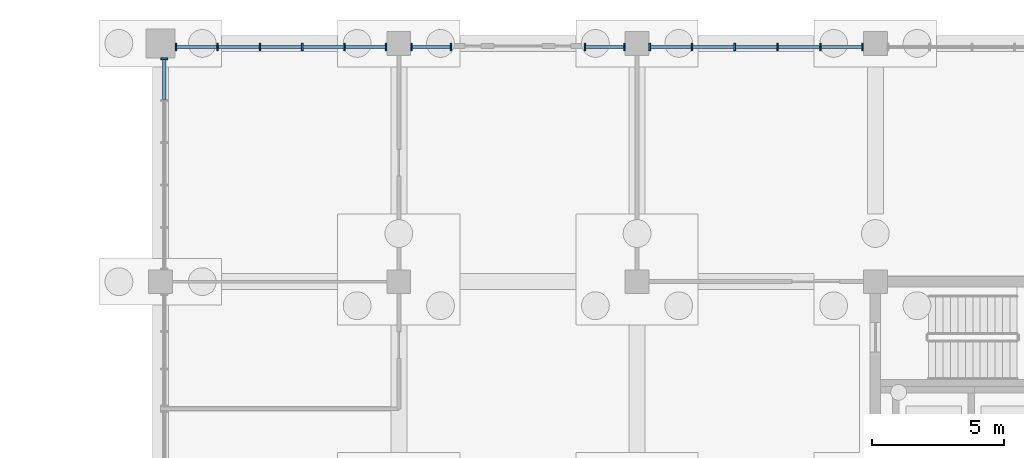
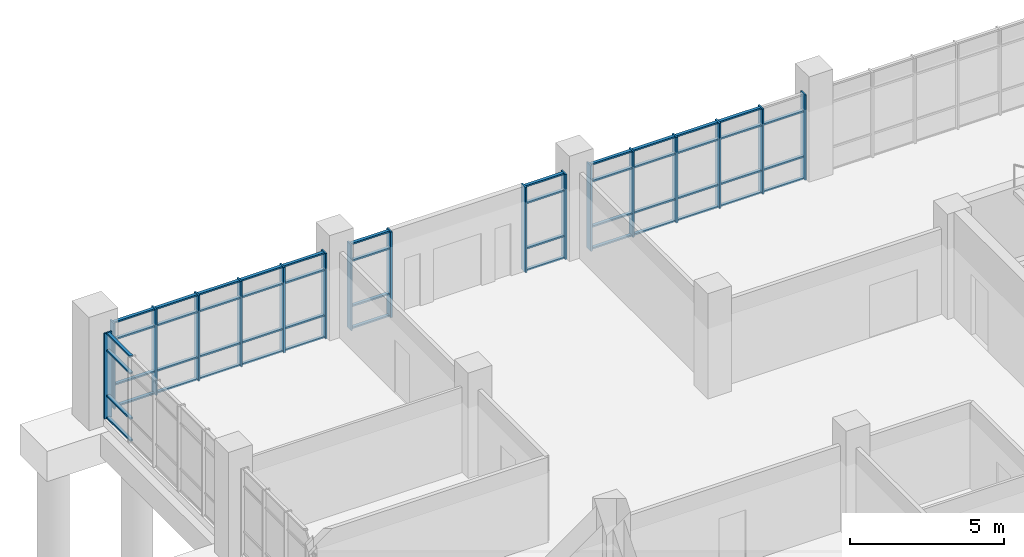
# One storey, part 48 of 106: 68 members, 5 elements without a shape of their own.
"""IFC4 building model written with IfcOpenShell, lengths in metres."""

from ifc_helpers import new_model, si_unit, direction, frame, origin, origin_2d, place, context, subcontext, project, spatial, rectangle, extrude, material, material_profile, profile_set, type_object, element, aggregate, save


model = new_model("IFC4")

# Units and contexts
model_context = context("Model", 3, precision=1e-05, world=origin(), true_north=direction((0.0, 1.0)))
body_context = subcontext(model_context, "Body", "Model", "MODEL_VIEW")
ifc_project = project(units=[si_unit("LENGTHUNIT", "METRE"), si_unit("AREAUNIT", "SQUARE_METRE"), si_unit("VOLUMEUNIT", "CUBIC_METRE"), si_unit("PLANEANGLEUNIT", "RADIAN"), si_unit("MASSUNIT", "GRAM", prefix="KILO")], contexts=[model_context])

# Site, building, storey
site_placement = place(None, origin())
site = spatial("IfcSite", under=ifc_project, at=site_placement, CompositionType="ELEMENT")
building_placement = place(site_placement, origin())
building = spatial("IfcBuilding", under=site, at=building_placement, Name="Merrow Basin Faculty of Sciences", CompositionType="ELEMENT")
storey_placement = place(building_placement, origin())
storey = spatial("IfcBuildingStorey", under=building, at=storey_placement, Name="L00", CompositionType="ELEMENT", Elevation=0.0)

# Curtain wall, member
ifc_material_1 = material(Name="Aluminium alloy 6063", Category="aluminium")
curtain_wall_type = type_object("IfcCurtainWallType", Name="Tower lobby curtain wall 280", PredefinedType="NOTDEFINED", material=ifc_material_1)
curtain_wall_1_placement = place(storey_placement, origin())
curtain_wall_1 = element("IfcCurtainWall", 1, at=curtain_wall_1_placement, inside=storey, type_object=curtain_wall_type, Name="W curtain wall L00 3", PredefinedType="NOTDEFINED")
ifc_material_2 = material(Name="Aluminium alloy 6063", Category="aluminium")
ifc_material_profile_1 = material_profile(ifc_material_2, rectangle(XDim=0.280029296875, YDim=0.06005859375, at=origin_2d()))
ifc_profile_set_1 = profile_set([ifc_material_profile_1], Name="Aluminium alloy 6063")
member_type_1 = type_object("IfcMemberType", Name="Aluminium mullion 60x280", PredefinedType="MULLION", material=ifc_profile_set_1)
member_1_placement = place(storey_placement, frame((18.139892578125, 168.419921875, 0.0), z_axis=(0.0, 0.0, 1.0), x_axis=(-1.0, 0.0, 0.0)))
member_1 = element("IfcMember", 2, at=member_1_placement, type_object=member_type_1, Name="CW10 mullion 6", PredefinedType="MULLION", context=body_context, shape_type="SweptSolid", body=[
    extrude(rectangle(XDim=0.280029296875, YDim=0.06005859375, at=origin_2d()), origin(), (0.0, 0.0, 1.0), 3.39990234375),
])

# Curtain wall, members
curtain_wall_2_placement = place(storey_placement, origin())
curtain_wall_2 = element("IfcCurtainWall", 3, at=curtain_wall_2_placement, inside=storey, type_object=curtain_wall_type, Name="N curtain wall L00 1", PredefinedType="NOTDEFINED")
member_2_placement = place(storey_placement, frame((18.580078125, 168.860107421875, 0.0), z_axis=(0.0, 0.0, 1.0), x_axis=(0.0, 1.0, 0.0)))
member_2 = element("IfcMember", 4, at=member_2_placement, type_object=member_type_1, Name="CW10 mullion 1", PredefinedType="MULLION", context=body_context, shape_type="SweptSolid", body=[
    extrude(rectangle(XDim=0.280029296875, YDim=0.06005859375, at=origin_2d()), origin(), (0.0, 0.0, 1.0), 3.39990234375),
])
member_3_placement = place(storey_placement, frame((20.14990234375, 168.860107421875, 0.0), z_axis=(0.0, 0.0, 1.0), x_axis=(0.0, 1.0, 0.0)))
member_3 = element("IfcMember", 5, at=member_3_placement, type_object=member_type_1, Name="CW10 mullion 2", PredefinedType="MULLION", context=body_context, shape_type="SweptSolid", body=[
    extrude(rectangle(XDim=0.280029296875, YDim=0.06005859375, at=origin_2d()), origin(), (0.0, 0.0, 1.0), 3.39990234375),
])
member_4_placement = place(storey_placement, frame((21.75, 168.860107421875, 0.0), z_axis=(0.0, 0.0, 1.0), x_axis=(0.0, 1.0, 0.0)))
member_4 = element("IfcMember", 6, at=member_4_placement, type_object=member_type_1, Name="CW10 mullion 3", PredefinedType="MULLION", context=body_context, shape_type="SweptSolid", body=[
    extrude(rectangle(XDim=0.280029296875, YDim=0.06005859375, at=origin_2d()), origin(), (0.0, 0.0, 1.0), 3.39990234375),
])
member_5_placement = place(storey_placement, frame((23.35009765625, 168.860107421875, 0.0), z_axis=(0.0, 0.0, 1.0), x_axis=(0.0, 1.0, 0.0)))
member_5 = element("IfcMember", 7, at=member_5_placement, type_object=member_type_1, Name="CW10 mullion 4", PredefinedType="MULLION", context=body_context, shape_type="SweptSolid", body=[
    extrude(rectangle(XDim=0.280029296875, YDim=0.06005859375, at=origin_2d()), origin(), (0.0, 0.0, 1.0), 3.39990234375),
])
member_6_placement = place(storey_placement, frame((24.949951171875, 168.860107421875, 0.0), z_axis=(0.0, 0.0, 1.0), x_axis=(0.0, 1.0, 0.0)))
member_6 = element("IfcMember", 8, at=member_6_placement, type_object=member_type_1, Name="CW10 mullion 5", PredefinedType="MULLION", context=body_context, shape_type="SweptSolid", body=[
    extrude(rectangle(XDim=0.280029296875, YDim=0.06005859375, at=origin_2d()), origin(), (0.0, 0.0, 1.0), 3.39990234375),
])
member_7_placement = place(storey_placement, frame((26.52001953125, 168.860107421875, 0.0), z_axis=(0.0, 0.0, 1.0), x_axis=(0.0, 1.0, 0.0)))
member_7 = element("IfcMember", 9, at=member_7_placement, type_object=member_type_1, Name="CW10 mullion 6", PredefinedType="MULLION", context=body_context, shape_type="SweptSolid", body=[
    extrude(rectangle(XDim=0.280029296875, YDim=0.06005859375, at=origin_2d()), origin(), (0.0, 0.0, 1.0), 3.39990234375),
])

curtain_wall_3_placement = place(storey_placement, origin())
curtain_wall_3 = element("IfcCurtainWall", 10, at=curtain_wall_3_placement, inside=storey, type_object=curtain_wall_type, Name="N curtain wall L00 2", PredefinedType="NOTDEFINED")
member_8_placement = place(storey_placement, frame((27.47998046875, 168.860107421875, 0.0), z_axis=(0.0, 0.0, 1.0), x_axis=(0.0, 1.0, 0.0)))
member_8 = element("IfcMember", 11, at=member_8_placement, type_object=member_type_1, Name="CW10 mullion 1", PredefinedType="MULLION", context=body_context, shape_type="SweptSolid", body=[
    extrude(rectangle(XDim=0.280029296875, YDim=0.06005859375, at=origin_2d()), origin(), (0.0, 0.0, 1.0), 3.39990234375),
])
member_9_placement = place(storey_placement, frame((28.969970703125, 168.860107421875, 0.0), z_axis=(0.0, 0.0, 1.0), x_axis=(0.0, 1.0, 0.0)))
member_9 = element("IfcMember", 12, at=member_9_placement, type_object=member_type_1, Name="CW10 mullion 2", PredefinedType="MULLION", context=body_context, shape_type="SweptSolid", body=[
    extrude(rectangle(XDim=0.280029296875, YDim=0.06005859375, at=origin_2d()), origin(), (0.0, 0.0, 1.0), 3.39990234375),
])

curtain_wall_4_placement = place(storey_placement, origin())
curtain_wall_4 = element("IfcCurtainWall", 13, at=curtain_wall_4_placement, inside=storey, type_object=curtain_wall_type, Name="N curtain wall L00 3", PredefinedType="NOTDEFINED")
member_10_placement = place(storey_placement, frame((34.030029296875, 168.860107421875, 0.0), z_axis=(0.0, 0.0, 1.0), x_axis=(0.0, 1.0, 0.0)))
member_10 = element("IfcMember", 14, at=member_10_placement, type_object=member_type_1, Name="CW10 mullion 1", PredefinedType="MULLION", context=body_context, shape_type="SweptSolid", body=[
    extrude(rectangle(XDim=0.280029296875, YDim=0.06005859375, at=origin_2d()), origin(), (0.0, 0.0, 1.0), 3.39990234375),
])
member_11_placement = place(storey_placement, frame((35.52001953125, 168.860107421875, 0.0), z_axis=(0.0, 0.0, 1.0), x_axis=(0.0, 1.0, 0.0)))
member_11 = element("IfcMember", 15, at=member_11_placement, type_object=member_type_1, Name="CW10 mullion 2", PredefinedType="MULLION", context=body_context, shape_type="SweptSolid", body=[
    extrude(rectangle(XDim=0.280029296875, YDim=0.06005859375, at=origin_2d()), origin(), (0.0, 0.0, 1.0), 3.39990234375),
])

curtain_wall_5_placement = place(storey_placement, origin())
curtain_wall_5 = element("IfcCurtainWall", 16, at=curtain_wall_5_placement, inside=storey, type_object=curtain_wall_type, Name="N curtain wall L00 4", PredefinedType="NOTDEFINED")
member_12_placement = place(storey_placement, frame((36.47998046875, 168.860107421875, 0.0), z_axis=(0.0, 0.0, 1.0), x_axis=(0.0, 1.0, 0.0)))
member_12 = element("IfcMember", 17, at=member_12_placement, type_object=member_type_1, Name="CW10 mullion 1", PredefinedType="MULLION", context=body_context, shape_type="SweptSolid", body=[
    extrude(rectangle(XDim=0.280029296875, YDim=0.06005859375, at=origin_2d()), origin(), (0.0, 0.0, 1.0), 3.39990234375),
])
member_13_placement = place(storey_placement, frame((38.070068359375, 168.860107421875, 0.0), z_axis=(0.0, 0.0, 1.0), x_axis=(0.0, 1.0, 0.0)))
member_13 = element("IfcMember", 18, at=member_13_placement, type_object=member_type_1, Name="CW10 mullion 2", PredefinedType="MULLION", context=body_context, shape_type="SweptSolid", body=[
    extrude(rectangle(XDim=0.280029296875, YDim=0.06005859375, at=origin_2d()), origin(), (0.0, 0.0, 1.0), 3.39990234375),
])
member_14_placement = place(storey_placement, frame((39.68994140625, 168.860107421875, 0.0), z_axis=(0.0, 0.0, 1.0), x_axis=(0.0, 1.0, 0.0)))
member_14 = element("IfcMember", 19, at=member_14_placement, type_object=member_type_1, Name="CW10 mullion 3", PredefinedType="MULLION", context=body_context, shape_type="SweptSolid", body=[
    extrude(rectangle(XDim=0.280029296875, YDim=0.06005859375, at=origin_2d()), origin(), (0.0, 0.0, 1.0), 3.39990234375),
])
member_15_placement = place(storey_placement, frame((41.31005859375, 168.860107421875, 0.0), z_axis=(0.0, 0.0, 1.0), x_axis=(0.0, 1.0, 0.0)))
member_15 = element("IfcMember", 20, at=member_15_placement, type_object=member_type_1, Name="CW10 mullion 4", PredefinedType="MULLION", context=body_context, shape_type="SweptSolid", body=[
    extrude(rectangle(XDim=0.280029296875, YDim=0.06005859375, at=origin_2d()), origin(), (0.0, 0.0, 1.0), 3.39990234375),
])
member_16_placement = place(storey_placement, frame((42.929931640625, 168.860107421875, 0.0), z_axis=(0.0, 0.0, 1.0), x_axis=(0.0, 1.0, 0.0)))
member_16 = element("IfcMember", 21, at=member_16_placement, type_object=member_type_1, Name="CW10 mullion 5", PredefinedType="MULLION", context=body_context, shape_type="SweptSolid", body=[
    extrude(rectangle(XDim=0.280029296875, YDim=0.06005859375, at=origin_2d()), origin(), (0.0, 0.0, 1.0), 3.39990234375),
])
member_17_placement = place(storey_placement, frame((44.52001953125, 168.860107421875, 0.0), z_axis=(0.0, 0.0, 1.0), x_axis=(0.0, 1.0, 0.0)))
member_17 = element("IfcMember", 22, at=member_17_placement, type_object=member_type_1, Name="CW10 mullion 6", PredefinedType="MULLION", context=body_context, shape_type="SweptSolid", body=[
    extrude(rectangle(XDim=0.280029296875, YDim=0.06005859375, at=origin_2d()), origin(), (0.0, 0.0, 1.0), 3.39990234375),
])

# Member
ifc_material_3 = material(Name="Aluminium alloy 6063", Category="aluminium")
ifc_material_profile_2 = material_profile(ifc_material_3, rectangle(XDim=0.1201171875, YDim=0.06005859375, at=origin_2d()))
ifc_profile_set_2 = profile_set([ifc_material_profile_2], Name="Aluminium alloy 6063")
member_type_2 = type_object("IfcMemberType", Name="Aluminium transom 60x120", PredefinedType="USERDEFINED", material=ifc_profile_set_2)
member_18_placement = place(storey_placement, frame((18.139892578125, 166.8798828125, 0.030029296875), z_axis=(0.0, 1.0, 0.0), x_axis=(-1.0, 0.0, 0.0)))
member_18 = element("IfcMember", 23, at=member_18_placement, type_object=member_type_2, Name="CW10 transom 5.1", ObjectType="TRANSOM", PredefinedType="USERDEFINED", context=body_context, shape_type="SweptSolid", body=[
    extrude(rectangle(XDim=0.1201171875, YDim=0.06005859375, at=origin_2d()), origin(), (0.0, 0.0, 1.0), 1.510009765625),
])

member_19_placement = place(storey_placement, frame((18.139892578125, 166.8798828125, 0.89990234375), z_axis=(0.0, 1.0, 0.0), x_axis=(-1.0, 0.0, 0.0)))
member_19 = element("IfcMember", 24, at=member_19_placement, type_object=member_type_2, Name="CW10 transom 5.2", ObjectType="TRANSOM", PredefinedType="USERDEFINED", context=body_context, shape_type="SweptSolid", body=[
    extrude(rectangle(XDim=0.1201171875, YDim=0.06005859375, at=origin_2d()), origin(), (0.0, 0.0, 1.0), 1.510009765625),
])

member_20_placement = place(storey_placement, frame((18.139892578125, 166.8798828125, 2.699951171875), z_axis=(0.0, 1.0, 0.0), x_axis=(-1.0, 0.0, 0.0)))
member_20 = element("IfcMember", 25, at=member_20_placement, type_object=member_type_2, Name="CW10 transom 5.3", ObjectType="TRANSOM", PredefinedType="USERDEFINED", context=body_context, shape_type="SweptSolid", body=[
    extrude(rectangle(XDim=0.1201171875, YDim=0.06005859375, at=origin_2d()), origin(), (0.0, 0.0, 1.0), 1.510009765625),
])

member_21_placement = place(storey_placement, frame((18.139892578125, 166.8798828125, 3.3701171875), z_axis=(0.0, 1.0, 0.0), x_axis=(-1.0, 0.0, 0.0)))
member_21 = element("IfcMember", 26, at=member_21_placement, type_object=member_type_2, Name="CW10 transom 5.4", ObjectType="TRANSOM", PredefinedType="USERDEFINED", context=body_context, shape_type="SweptSolid", body=[
    extrude(rectangle(XDim=0.1201171875, YDim=0.06005859375, at=origin_2d()), origin(), (0.0, 0.0, 1.0), 1.510009765625),
])

aggregate(curtain_wall_1, [member_1, member_18, member_19, member_20, member_21])

member_22_placement = place(storey_placement, frame((18.610107421875, 168.860107421875, 0.030029296875), z_axis=(1.0, 0.0, 0.0), x_axis=(0.0, 1.0, 0.0)))
member_22 = element("IfcMember", 27, at=member_22_placement, type_object=member_type_2, Name="CW10 transom 1.1", ObjectType="TRANSOM", PredefinedType="USERDEFINED", context=body_context, shape_type="SweptSolid", body=[
    extrude(rectangle(XDim=0.1201171875, YDim=0.06005859375, at=origin_2d()), origin(), (0.0, 0.0, 1.0), 1.510009765625),
])

member_23_placement = place(storey_placement, frame((18.610107421875, 168.860107421875, 0.89990234375), z_axis=(1.0, 0.0, 0.0), x_axis=(0.0, 1.0, 0.0)))
member_23 = element("IfcMember", 28, at=member_23_placement, type_object=member_type_2, Name="CW10 transom 1.2", ObjectType="TRANSOM", PredefinedType="USERDEFINED", context=body_context, shape_type="SweptSolid", body=[
    extrude(rectangle(XDim=0.1201171875, YDim=0.06005859375, at=origin_2d()), origin(), (0.0, 0.0, 1.0), 1.510009765625),
])

member_24_placement = place(storey_placement, frame((18.610107421875, 168.860107421875, 2.699951171875), z_axis=(1.0, 0.0, 0.0), x_axis=(0.0, 1.0, 0.0)))
member_24 = element("IfcMember", 29, at=member_24_placement, type_object=member_type_2, Name="CW10 transom 1.3", ObjectType="TRANSOM", PredefinedType="USERDEFINED", context=body_context, shape_type="SweptSolid", body=[
    extrude(rectangle(XDim=0.1201171875, YDim=0.06005859375, at=origin_2d()), origin(), (0.0, 0.0, 1.0), 1.510009765625),
])

member_25_placement = place(storey_placement, frame((18.610107421875, 168.860107421875, 3.3701171875), z_axis=(1.0, 0.0, 0.0), x_axis=(0.0, 1.0, 0.0)))
member_25 = element("IfcMember", 30, at=member_25_placement, type_object=member_type_2, Name="CW10 transom 1.4", ObjectType="TRANSOM", PredefinedType="USERDEFINED", context=body_context, shape_type="SweptSolid", body=[
    extrude(rectangle(XDim=0.1201171875, YDim=0.06005859375, at=origin_2d()), origin(), (0.0, 0.0, 1.0), 1.510009765625),
])

member_26_placement = place(storey_placement, frame((20.179931640625, 168.860107421875, 0.030029296875), z_axis=(1.0, 0.0, 0.0), x_axis=(0.0, 1.0, 0.0)))
member_26 = element("IfcMember", 31, at=member_26_placement, type_object=member_type_2, Name="CW10 transom 2.1", ObjectType="TRANSOM", PredefinedType="USERDEFINED", context=body_context, shape_type="SweptSolid", body=[
    extrude(rectangle(XDim=0.1201171875, YDim=0.06005859375, at=origin_2d()), origin(), (0.0, 0.0, 1.0), 1.5400390625),
])

member_27_placement = place(storey_placement, frame((20.179931640625, 168.860107421875, 0.89990234375), z_axis=(1.0, 0.0, 0.0), x_axis=(0.0, 1.0, 0.0)))
member_27 = element("IfcMember", 32, at=member_27_placement, type_object=member_type_2, Name="CW10 transom 2.2", ObjectType="TRANSOM", PredefinedType="USERDEFINED", context=body_context, shape_type="SweptSolid", body=[
    extrude(rectangle(XDim=0.1201171875, YDim=0.06005859375, at=origin_2d()), origin(), (0.0, 0.0, 1.0), 1.5400390625),
])

member_28_placement = place(storey_placement, frame((20.179931640625, 168.860107421875, 2.699951171875), z_axis=(1.0, 0.0, 0.0), x_axis=(0.0, 1.0, 0.0)))
member_28 = element("IfcMember", 33, at=member_28_placement, type_object=member_type_2, Name="CW10 transom 2.3", ObjectType="TRANSOM", PredefinedType="USERDEFINED", context=body_context, shape_type="SweptSolid", body=[
    extrude(rectangle(XDim=0.1201171875, YDim=0.06005859375, at=origin_2d()), origin(), (0.0, 0.0, 1.0), 1.5400390625),
])

member_29_placement = place(storey_placement, frame((20.179931640625, 168.860107421875, 3.3701171875), z_axis=(1.0, 0.0, 0.0), x_axis=(0.0, 1.0, 0.0)))
member_29 = element("IfcMember", 34, at=member_29_placement, type_object=member_type_2, Name="CW10 transom 2.4", ObjectType="TRANSOM", PredefinedType="USERDEFINED", context=body_context, shape_type="SweptSolid", body=[
    extrude(rectangle(XDim=0.1201171875, YDim=0.06005859375, at=origin_2d()), origin(), (0.0, 0.0, 1.0), 1.5400390625),
])

member_30_placement = place(storey_placement, frame((21.780029296875, 168.860107421875, 0.030029296875), z_axis=(1.0, 0.0, 0.0), x_axis=(0.0, 1.0, 0.0)))
member_30 = element("IfcMember", 35, at=member_30_placement, type_object=member_type_2, Name="CW10 transom 3.1", ObjectType="TRANSOM", PredefinedType="USERDEFINED", context=body_context, shape_type="SweptSolid", body=[
    extrude(rectangle(XDim=0.1201171875, YDim=0.06005859375, at=origin_2d()), origin(), (0.0, 0.0, 1.0), 1.5400390625),
])

member_31_placement = place(storey_placement, frame((21.780029296875, 168.860107421875, 0.89990234375), z_axis=(1.0, 0.0, 0.0), x_axis=(0.0, 1.0, 0.0)))
member_31 = element("IfcMember", 36, at=member_31_placement, type_object=member_type_2, Name="CW10 transom 3.2", ObjectType="TRANSOM", PredefinedType="USERDEFINED", context=body_context, shape_type="SweptSolid", body=[
    extrude(rectangle(XDim=0.1201171875, YDim=0.06005859375, at=origin_2d()), origin(), (0.0, 0.0, 1.0), 1.5400390625),
])

member_32_placement = place(storey_placement, frame((21.780029296875, 168.860107421875, 2.699951171875), z_axis=(1.0, 0.0, 0.0), x_axis=(0.0, 1.0, 0.0)))
member_32 = element("IfcMember", 37, at=member_32_placement, type_object=member_type_2, Name="CW10 transom 3.3", ObjectType="TRANSOM", PredefinedType="USERDEFINED", context=body_context, shape_type="SweptSolid", body=[
    extrude(rectangle(XDim=0.1201171875, YDim=0.06005859375, at=origin_2d()), origin(), (0.0, 0.0, 1.0), 1.5400390625),
])

member_33_placement = place(storey_placement, frame((21.780029296875, 168.860107421875, 3.3701171875), z_axis=(1.0, 0.0, 0.0), x_axis=(0.0, 1.0, 0.0)))
member_33 = element("IfcMember", 38, at=member_33_placement, type_object=member_type_2, Name="CW10 transom 3.4", ObjectType="TRANSOM", PredefinedType="USERDEFINED", context=body_context, shape_type="SweptSolid", body=[
    extrude(rectangle(XDim=0.1201171875, YDim=0.06005859375, at=origin_2d()), origin(), (0.0, 0.0, 1.0), 1.5400390625),
])

member_34_placement = place(storey_placement, frame((23.3798828125, 168.860107421875, 0.030029296875), z_axis=(1.0, 0.0, 0.0), x_axis=(0.0, 1.0, 0.0)))
member_34 = element("IfcMember", 39, at=member_34_placement, type_object=member_type_2, Name="CW10 transom 4.1", ObjectType="TRANSOM", PredefinedType="USERDEFINED", context=body_context, shape_type="SweptSolid", body=[
    extrude(rectangle(XDim=0.1201171875, YDim=0.06005859375, at=origin_2d()), origin(), (0.0, 0.0, 1.0), 1.5400390625),
])

member_35_placement = place(storey_placement, frame((23.3798828125, 168.860107421875, 0.89990234375), z_axis=(1.0, 0.0, 0.0), x_axis=(0.0, 1.0, 0.0)))
member_35 = element("IfcMember", 40, at=member_35_placement, type_object=member_type_2, Name="CW10 transom 4.2", ObjectType="TRANSOM", PredefinedType="USERDEFINED", context=body_context, shape_type="SweptSolid", body=[
    extrude(rectangle(XDim=0.1201171875, YDim=0.06005859375, at=origin_2d()), origin(), (0.0, 0.0, 1.0), 1.5400390625),
])

member_36_placement = place(storey_placement, frame((23.3798828125, 168.860107421875, 2.699951171875), z_axis=(1.0, 0.0, 0.0), x_axis=(0.0, 1.0, 0.0)))
member_36 = element("IfcMember", 41, at=member_36_placement, type_object=member_type_2, Name="CW10 transom 4.3", ObjectType="TRANSOM", PredefinedType="USERDEFINED", context=body_context, shape_type="SweptSolid", body=[
    extrude(rectangle(XDim=0.1201171875, YDim=0.06005859375, at=origin_2d()), origin(), (0.0, 0.0, 1.0), 1.5400390625),
])

member_37_placement = place(storey_placement, frame((23.3798828125, 168.860107421875, 3.3701171875), z_axis=(1.0, 0.0, 0.0), x_axis=(0.0, 1.0, 0.0)))
member_37 = element("IfcMember", 42, at=member_37_placement, type_object=member_type_2, Name="CW10 transom 4.4", ObjectType="TRANSOM", PredefinedType="USERDEFINED", context=body_context, shape_type="SweptSolid", body=[
    extrude(rectangle(XDim=0.1201171875, YDim=0.06005859375, at=origin_2d()), origin(), (0.0, 0.0, 1.0), 1.5400390625),
])

member_38_placement = place(storey_placement, frame((24.97998046875, 168.860107421875, 0.030029296875), z_axis=(1.0, 0.0, 0.0), x_axis=(0.0, 1.0, 0.0)))
member_38 = element("IfcMember", 43, at=member_38_placement, type_object=member_type_2, Name="CW10 transom 5.1", ObjectType="TRANSOM", PredefinedType="USERDEFINED", context=body_context, shape_type="SweptSolid", body=[
    extrude(rectangle(XDim=0.1201171875, YDim=0.06005859375, at=origin_2d()), origin(), (0.0, 0.0, 1.0), 1.510009765625),
])

member_39_placement = place(storey_placement, frame((24.97998046875, 168.860107421875, 0.89990234375), z_axis=(1.0, 0.0, 0.0), x_axis=(0.0, 1.0, 0.0)))
member_39 = element("IfcMember", 44, at=member_39_placement, type_object=member_type_2, Name="CW10 transom 5.2", ObjectType="TRANSOM", PredefinedType="USERDEFINED", context=body_context, shape_type="SweptSolid", body=[
    extrude(rectangle(XDim=0.1201171875, YDim=0.06005859375, at=origin_2d()), origin(), (0.0, 0.0, 1.0), 1.510009765625),
])

member_40_placement = place(storey_placement, frame((24.97998046875, 168.860107421875, 2.699951171875), z_axis=(1.0, 0.0, 0.0), x_axis=(0.0, 1.0, 0.0)))
member_40 = element("IfcMember", 45, at=member_40_placement, type_object=member_type_2, Name="CW10 transom 5.3", ObjectType="TRANSOM", PredefinedType="USERDEFINED", context=body_context, shape_type="SweptSolid", body=[
    extrude(rectangle(XDim=0.1201171875, YDim=0.06005859375, at=origin_2d()), origin(), (0.0, 0.0, 1.0), 1.510009765625),
])

member_41_placement = place(storey_placement, frame((24.97998046875, 168.860107421875, 3.3701171875), z_axis=(1.0, 0.0, 0.0), x_axis=(0.0, 1.0, 0.0)))
member_41 = element("IfcMember", 46, at=member_41_placement, type_object=member_type_2, Name="CW10 transom 5.4", ObjectType="TRANSOM", PredefinedType="USERDEFINED", context=body_context, shape_type="SweptSolid", body=[
    extrude(rectangle(XDim=0.1201171875, YDim=0.06005859375, at=origin_2d()), origin(), (0.0, 0.0, 1.0), 1.510009765625),
])

aggregate(curtain_wall_2, [member_2, member_3, member_4, member_5, member_6, member_7, member_22, member_23, member_24, member_25, member_26, member_27, member_28, member_29, member_30, member_31, member_32, member_33, member_34, member_35, member_36, member_37, member_38, member_39, member_40, member_41])

member_42_placement = place(storey_placement, frame((27.510009765625, 168.860107421875, 0.030029296875), z_axis=(1.0, 0.0, 0.0), x_axis=(0.0, 1.0, 0.0)))
member_42 = element("IfcMember", 47, at=member_42_placement, type_object=member_type_2, Name="CW10 transom 1.1", ObjectType="TRANSOM", PredefinedType="USERDEFINED", context=body_context, shape_type="SweptSolid", body=[
    extrude(rectangle(XDim=0.1201171875, YDim=0.06005859375, at=origin_2d()), origin(), (0.0, 0.0, 1.0), 1.429931640625),
])

member_43_placement = place(storey_placement, frame((27.510009765625, 168.860107421875, 0.89990234375), z_axis=(1.0, 0.0, 0.0), x_axis=(0.0, 1.0, 0.0)))
member_43 = element("IfcMember", 48, at=member_43_placement, type_object=member_type_2, Name="CW10 transom 1.2", ObjectType="TRANSOM", PredefinedType="USERDEFINED", context=body_context, shape_type="SweptSolid", body=[
    extrude(rectangle(XDim=0.1201171875, YDim=0.06005859375, at=origin_2d()), origin(), (0.0, 0.0, 1.0), 1.429931640625),
])

member_44_placement = place(storey_placement, frame((27.510009765625, 168.860107421875, 2.699951171875), z_axis=(1.0, 0.0, 0.0), x_axis=(0.0, 1.0, 0.0)))
member_44 = element("IfcMember", 49, at=member_44_placement, type_object=member_type_2, Name="CW10 transom 1.3", ObjectType="TRANSOM", PredefinedType="USERDEFINED", context=body_context, shape_type="SweptSolid", body=[
    extrude(rectangle(XDim=0.1201171875, YDim=0.06005859375, at=origin_2d()), origin(), (0.0, 0.0, 1.0), 1.429931640625),
])

member_45_placement = place(storey_placement, frame((27.510009765625, 168.860107421875, 3.3701171875), z_axis=(1.0, 0.0, 0.0), x_axis=(0.0, 1.0, 0.0)))
member_45 = element("IfcMember", 50, at=member_45_placement, type_object=member_type_2, Name="CW10 transom 1.4", ObjectType="TRANSOM", PredefinedType="USERDEFINED", context=body_context, shape_type="SweptSolid", body=[
    extrude(rectangle(XDim=0.1201171875, YDim=0.06005859375, at=origin_2d()), origin(), (0.0, 0.0, 1.0), 1.429931640625),
])

aggregate(curtain_wall_3, [member_8, member_9, member_42, member_43, member_44, member_45])

member_46_placement = place(storey_placement, frame((34.06005859375, 168.860107421875, 0.030029296875), z_axis=(1.0, 0.0, 0.0), x_axis=(0.0, 1.0, 0.0)))
member_46 = element("IfcMember", 51, at=member_46_placement, type_object=member_type_2, Name="CW10 transom 1.1", ObjectType="TRANSOM", PredefinedType="USERDEFINED", context=body_context, shape_type="SweptSolid", body=[
    extrude(rectangle(XDim=0.1201171875, YDim=0.06005859375, at=origin_2d()), origin(), (0.0, 0.0, 1.0), 1.429931640625),
])

member_47_placement = place(storey_placement, frame((34.06005859375, 168.860107421875, 0.89990234375), z_axis=(1.0, 0.0, 0.0), x_axis=(0.0, 1.0, 0.0)))
member_47 = element("IfcMember", 52, at=member_47_placement, type_object=member_type_2, Name="CW10 transom 1.2", ObjectType="TRANSOM", PredefinedType="USERDEFINED", context=body_context, shape_type="SweptSolid", body=[
    extrude(rectangle(XDim=0.1201171875, YDim=0.06005859375, at=origin_2d()), origin(), (0.0, 0.0, 1.0), 1.429931640625),
])

member_48_placement = place(storey_placement, frame((34.06005859375, 168.860107421875, 2.699951171875), z_axis=(1.0, 0.0, 0.0), x_axis=(0.0, 1.0, 0.0)))
member_48 = element("IfcMember", 53, at=member_48_placement, type_object=member_type_2, Name="CW10 transom 1.3", ObjectType="TRANSOM", PredefinedType="USERDEFINED", context=body_context, shape_type="SweptSolid", body=[
    extrude(rectangle(XDim=0.1201171875, YDim=0.06005859375, at=origin_2d()), origin(), (0.0, 0.0, 1.0), 1.429931640625),
])

member_49_placement = place(storey_placement, frame((34.06005859375, 168.860107421875, 3.3701171875), z_axis=(1.0, 0.0, 0.0), x_axis=(0.0, 1.0, 0.0)))
member_49 = element("IfcMember", 54, at=member_49_placement, type_object=member_type_2, Name="CW10 transom 1.4", ObjectType="TRANSOM", PredefinedType="USERDEFINED", context=body_context, shape_type="SweptSolid", body=[
    extrude(rectangle(XDim=0.1201171875, YDim=0.06005859375, at=origin_2d()), origin(), (0.0, 0.0, 1.0), 1.429931640625),
])

aggregate(curtain_wall_4, [member_10, member_11, member_46, member_47, member_48, member_49])

member_50_placement = place(storey_placement, frame((36.510009765625, 168.860107421875, 0.030029296875), z_axis=(1.0, 0.0, 0.0), x_axis=(0.0, 1.0, 0.0)))
member_50 = element("IfcMember", 55, at=member_50_placement, type_object=member_type_2, Name="CW10 transom 1.1", ObjectType="TRANSOM", PredefinedType="USERDEFINED", context=body_context, shape_type="SweptSolid", body=[
    extrude(rectangle(XDim=0.1201171875, YDim=0.06005859375, at=origin_2d()), origin(), (0.0, 0.0, 1.0), 1.530029296875),
])

member_51_placement = place(storey_placement, frame((36.510009765625, 168.860107421875, 0.89990234375), z_axis=(1.0, 0.0, 0.0), x_axis=(0.0, 1.0, 0.0)))
member_51 = element("IfcMember", 56, at=member_51_placement, type_object=member_type_2, Name="CW10 transom 1.2", ObjectType="TRANSOM", PredefinedType="USERDEFINED", context=body_context, shape_type="SweptSolid", body=[
    extrude(rectangle(XDim=0.1201171875, YDim=0.06005859375, at=origin_2d()), origin(), (0.0, 0.0, 1.0), 1.530029296875),
])

member_52_placement = place(storey_placement, frame((36.510009765625, 168.860107421875, 2.699951171875), z_axis=(1.0, 0.0, 0.0), x_axis=(0.0, 1.0, 0.0)))
member_52 = element("IfcMember", 57, at=member_52_placement, type_object=member_type_2, Name="CW10 transom 1.3", ObjectType="TRANSOM", PredefinedType="USERDEFINED", context=body_context, shape_type="SweptSolid", body=[
    extrude(rectangle(XDim=0.1201171875, YDim=0.06005859375, at=origin_2d()), origin(), (0.0, 0.0, 1.0), 1.530029296875),
])

member_53_placement = place(storey_placement, frame((36.510009765625, 168.860107421875, 3.3701171875), z_axis=(1.0, 0.0, 0.0), x_axis=(0.0, 1.0, 0.0)))
member_53 = element("IfcMember", 58, at=member_53_placement, type_object=member_type_2, Name="CW10 transom 1.4", ObjectType="TRANSOM", PredefinedType="USERDEFINED", context=body_context, shape_type="SweptSolid", body=[
    extrude(rectangle(XDim=0.1201171875, YDim=0.06005859375, at=origin_2d()), origin(), (0.0, 0.0, 1.0), 1.530029296875),
])

member_54_placement = place(storey_placement, frame((38.10009765625, 168.860107421875, 0.030029296875), z_axis=(1.0, 0.0, 0.0), x_axis=(0.0, 1.0, 0.0)))
member_54 = element("IfcMember", 59, at=member_54_placement, type_object=member_type_2, Name="CW10 transom 2.1", ObjectType="TRANSOM", PredefinedType="USERDEFINED", context=body_context, shape_type="SweptSolid", body=[
    extrude(rectangle(XDim=0.1201171875, YDim=0.06005859375, at=origin_2d()), origin(), (0.0, 0.0, 1.0), 1.559814453125),
])

member_55_placement = place(storey_placement, frame((38.10009765625, 168.860107421875, 0.89990234375), z_axis=(1.0, 0.0, 0.0), x_axis=(0.0, 1.0, 0.0)))
member_55 = element("IfcMember", 60, at=member_55_placement, type_object=member_type_2, Name="CW10 transom 2.2", ObjectType="TRANSOM", PredefinedType="USERDEFINED", context=body_context, shape_type="SweptSolid", body=[
    extrude(rectangle(XDim=0.1201171875, YDim=0.06005859375, at=origin_2d()), origin(), (0.0, 0.0, 1.0), 1.559814453125),
])

member_56_placement = place(storey_placement, frame((38.10009765625, 168.860107421875, 2.699951171875), z_axis=(1.0, 0.0, 0.0), x_axis=(0.0, 1.0, 0.0)))
member_56 = element("IfcMember", 61, at=member_56_placement, type_object=member_type_2, Name="CW10 transom 2.3", ObjectType="TRANSOM", PredefinedType="USERDEFINED", context=body_context, shape_type="SweptSolid", body=[
    extrude(rectangle(XDim=0.1201171875, YDim=0.06005859375, at=origin_2d()), origin(), (0.0, 0.0, 1.0), 1.559814453125),
])

member_57_placement = place(storey_placement, frame((38.10009765625, 168.860107421875, 3.3701171875), z_axis=(1.0, 0.0, 0.0), x_axis=(0.0, 1.0, 0.0)))
member_57 = element("IfcMember", 62, at=member_57_placement, type_object=member_type_2, Name="CW10 transom 2.4", ObjectType="TRANSOM", PredefinedType="USERDEFINED", context=body_context, shape_type="SweptSolid", body=[
    extrude(rectangle(XDim=0.1201171875, YDim=0.06005859375, at=origin_2d()), origin(), (0.0, 0.0, 1.0), 1.559814453125),
])

member_58_placement = place(storey_placement, frame((39.719970703125, 168.860107421875, 0.030029296875), z_axis=(1.0, 0.0, 0.0), x_axis=(0.0, 1.0, 0.0)))
member_58 = element("IfcMember", 63, at=member_58_placement, type_object=member_type_2, Name="CW10 transom 3.1", ObjectType="TRANSOM", PredefinedType="USERDEFINED", context=body_context, shape_type="SweptSolid", body=[
    extrude(rectangle(XDim=0.1201171875, YDim=0.06005859375, at=origin_2d()), origin(), (0.0, 0.0, 1.0), 1.56005859375),
])

member_59_placement = place(storey_placement, frame((39.719970703125, 168.860107421875, 0.89990234375), z_axis=(1.0, 0.0, 0.0), x_axis=(0.0, 1.0, 0.0)))
member_59 = element("IfcMember", 64, at=member_59_placement, type_object=member_type_2, Name="CW10 transom 3.2", ObjectType="TRANSOM", PredefinedType="USERDEFINED", context=body_context, shape_type="SweptSolid", body=[
    extrude(rectangle(XDim=0.1201171875, YDim=0.06005859375, at=origin_2d()), origin(), (0.0, 0.0, 1.0), 1.56005859375),
])

member_60_placement = place(storey_placement, frame((39.719970703125, 168.860107421875, 2.699951171875), z_axis=(1.0, 0.0, 0.0), x_axis=(0.0, 1.0, 0.0)))
member_60 = element("IfcMember", 65, at=member_60_placement, type_object=member_type_2, Name="CW10 transom 3.3", ObjectType="TRANSOM", PredefinedType="USERDEFINED", context=body_context, shape_type="SweptSolid", body=[
    extrude(rectangle(XDim=0.1201171875, YDim=0.06005859375, at=origin_2d()), origin(), (0.0, 0.0, 1.0), 1.56005859375),
])

member_61_placement = place(storey_placement, frame((39.719970703125, 168.860107421875, 3.3701171875), z_axis=(1.0, 0.0, 0.0), x_axis=(0.0, 1.0, 0.0)))
member_61 = element("IfcMember", 66, at=member_61_placement, type_object=member_type_2, Name="CW10 transom 3.4", ObjectType="TRANSOM", PredefinedType="USERDEFINED", context=body_context, shape_type="SweptSolid", body=[
    extrude(rectangle(XDim=0.1201171875, YDim=0.06005859375, at=origin_2d()), origin(), (0.0, 0.0, 1.0), 1.56005859375),
])

member_62_placement = place(storey_placement, frame((41.340087890625, 168.860107421875, 0.030029296875), z_axis=(1.0, 0.0, 0.0), x_axis=(0.0, 1.0, 0.0)))
member_62 = element("IfcMember", 67, at=member_62_placement, type_object=member_type_2, Name="CW10 transom 4.1", ObjectType="TRANSOM", PredefinedType="USERDEFINED", context=body_context, shape_type="SweptSolid", body=[
    extrude(rectangle(XDim=0.1201171875, YDim=0.06005859375, at=origin_2d()), origin(), (0.0, 0.0, 1.0), 1.559814453125),
])

member_63_placement = place(storey_placement, frame((41.340087890625, 168.860107421875, 0.89990234375), z_axis=(1.0, 0.0, 0.0), x_axis=(0.0, 1.0, 0.0)))
member_63 = element("IfcMember", 68, at=member_63_placement, type_object=member_type_2, Name="CW10 transom 4.2", ObjectType="TRANSOM", PredefinedType="USERDEFINED", context=body_context, shape_type="SweptSolid", body=[
    extrude(rectangle(XDim=0.1201171875, YDim=0.06005859375, at=origin_2d()), origin(), (0.0, 0.0, 1.0), 1.559814453125),
])

member_64_placement = place(storey_placement, frame((41.340087890625, 168.860107421875, 2.699951171875), z_axis=(1.0, 0.0, 0.0), x_axis=(0.0, 1.0, 0.0)))
member_64 = element("IfcMember", 69, at=member_64_placement, type_object=member_type_2, Name="CW10 transom 4.3", ObjectType="TRANSOM", PredefinedType="USERDEFINED", context=body_context, shape_type="SweptSolid", body=[
    extrude(rectangle(XDim=0.1201171875, YDim=0.06005859375, at=origin_2d()), origin(), (0.0, 0.0, 1.0), 1.559814453125),
])

member_65_placement = place(storey_placement, frame((41.340087890625, 168.860107421875, 3.3701171875), z_axis=(1.0, 0.0, 0.0), x_axis=(0.0, 1.0, 0.0)))
member_65 = element("IfcMember", 70, at=member_65_placement, type_object=member_type_2, Name="CW10 transom 4.4", ObjectType="TRANSOM", PredefinedType="USERDEFINED", context=body_context, shape_type="SweptSolid", body=[
    extrude(rectangle(XDim=0.1201171875, YDim=0.06005859375, at=origin_2d()), origin(), (0.0, 0.0, 1.0), 1.559814453125),
])

member_66_placement = place(storey_placement, frame((42.9599609375, 168.860107421875, 0.030029296875), z_axis=(1.0, 0.0, 0.0), x_axis=(0.0, 1.0, 0.0)))
member_66 = element("IfcMember", 71, at=member_66_placement, type_object=member_type_2, Name="CW10 transom 5.1", ObjectType="TRANSOM", PredefinedType="USERDEFINED", context=body_context, shape_type="SweptSolid", body=[
    extrude(rectangle(XDim=0.1201171875, YDim=0.06005859375, at=origin_2d()), origin(), (0.0, 0.0, 1.0), 1.530029296875),
])

member_67_placement = place(storey_placement, frame((42.9599609375, 168.860107421875, 0.89990234375), z_axis=(1.0, 0.0, 0.0), x_axis=(0.0, 1.0, 0.0)))
member_67 = element("IfcMember", 72, at=member_67_placement, type_object=member_type_2, Name="CW10 transom 5.2", ObjectType="TRANSOM", PredefinedType="USERDEFINED", context=body_context, shape_type="SweptSolid", body=[
    extrude(rectangle(XDim=0.1201171875, YDim=0.06005859375, at=origin_2d()), origin(), (0.0, 0.0, 1.0), 1.530029296875),
])

member_68_placement = place(storey_placement, frame((42.9599609375, 168.860107421875, 2.699951171875), z_axis=(1.0, 0.0, 0.0), x_axis=(0.0, 1.0, 0.0)))
member_68 = element("IfcMember", 73, at=member_68_placement, type_object=member_type_2, Name="CW10 transom 5.3", ObjectType="TRANSOM", PredefinedType="USERDEFINED", context=body_context, shape_type="SweptSolid", body=[
    extrude(rectangle(XDim=0.1201171875, YDim=0.06005859375, at=origin_2d()), origin(), (0.0, 0.0, 1.0), 1.530029296875),
])

aggregate(curtain_wall_5, [member_12, member_13, member_14, member_15, member_16, member_17, member_50, member_51, member_52, member_53, member_54, member_55, member_56, member_57, member_58, member_59, member_60, member_61, member_62, member_63, member_64, member_65, member_66, member_67, member_68])

save(model, "model.ifc")
